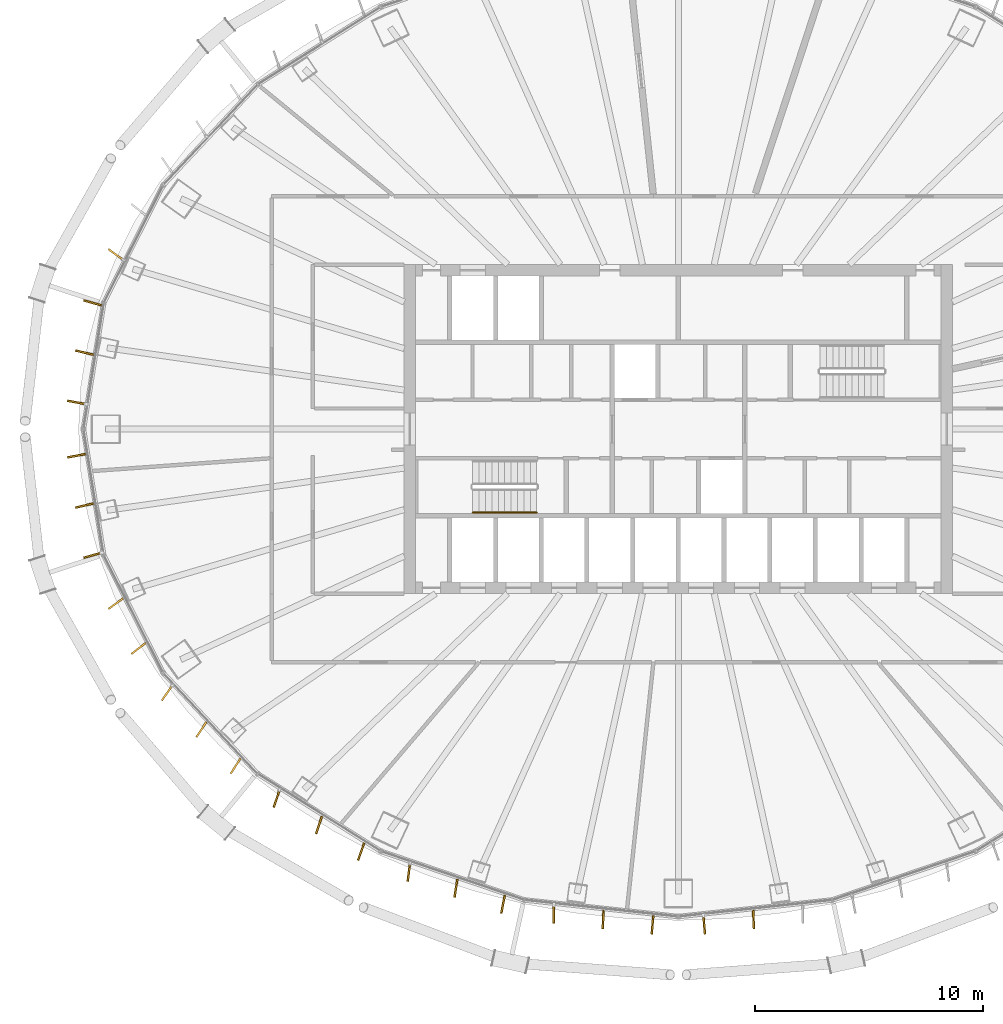
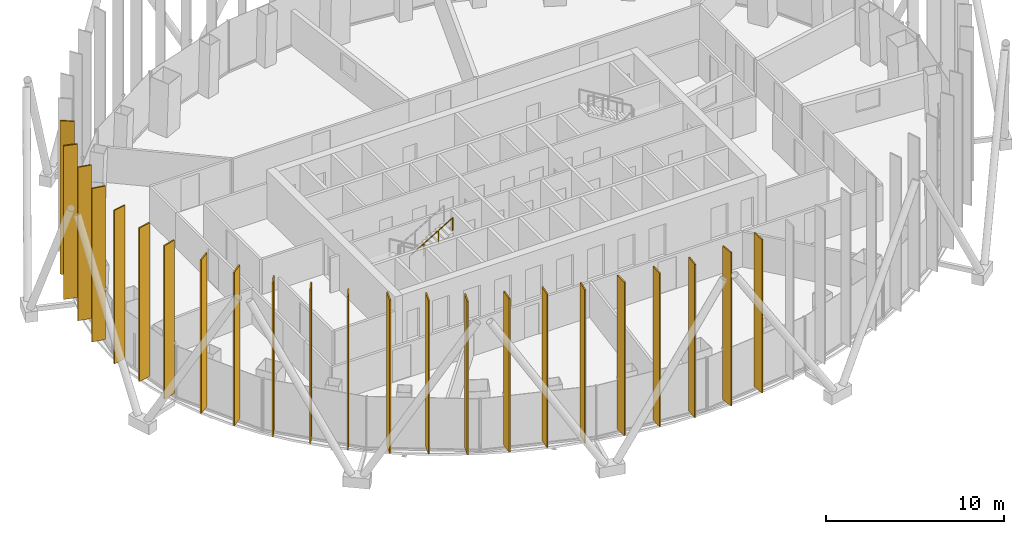
# One storey, part 16 of 19: 23 shading devices, 1 railing.
"""IFC4 building model written with IfcOpenShell, lengths in metres."""

import ifcopenshell
import ifcopenshell.guid

model = None  # the IFC model being written
_history = None  # IfcOwnerHistory: only IFC2X3 demands one
_inside = {}  # id of a spatial element -> (the spatial element, [elements in it])
_under = {}  # id of a project, library or spatial element -> (it, [spatial elements below it])
_declared = {}  # id of a project -> (the project, [libraries it declares])
_typed = {}  # id of a type object -> (the type object, [elements of that type])
_made_of = {}  # id of a material, layer set ... -> (it, [elements and type objects made of it])


def new_model(schema):
    """Start an empty IFC model of exactly this schema.

    Asked for "IFC4X3", IfcOpenShell would pick the latest addendum, in which some entities
    have other attributes; the version numbers below select the first issue.
    IFC2X3 requires an IfcOwnerHistory on every rooted entity: one is made here for all.
    """
    global model, _history
    if schema == "IFC4X3":
        model = ifcopenshell.file(schema_version=(4, 3, 0, 0))
    else:
        model = ifcopenshell.file(schema=schema)
    _inside.clear()
    _under.clear()
    _declared.clear()
    _typed.clear()
    _made_of.clear()
    _history = None
    if model.schema == "IFC2X3":
        org = make("IfcOrganization", Name="unknown")
        user = make(
            "IfcPersonAndOrganization",
            ThePerson=make("IfcPerson", FamilyName="unknown"),
            TheOrganization=org,
        )
        app = make(
            "IfcApplication",
            ApplicationDeveloper=org,
            Version="unknown",
            ApplicationFullName="unknown",
            ApplicationIdentifier="unknown",
        )
        _history = make(
            "IfcOwnerHistory",
            OwningUser=user,
            OwningApplication=app,
            ChangeAction="ADDED",
            CreationDate=0,
        )
    return model


def make(cls, **values):
    """One entity of the class cls with the attributes given. An attribute that is None is left unset."""
    return model.create_entity(
        cls, **{name: value for name, value in values.items() if value is not None}
    )


def rooted(cls, **values):
    """An entity with a GlobalId (a new one), such as an element, a storey or a relation."""
    return make(cls, GlobalId=ifcopenshell.guid.new(), OwnerHistory=_history, **values)


def si_unit(unit_type, name, prefix=None):
    """IfcSIUnit, for example si_unit("LENGTHUNIT", "METRE", prefix="MILLI")."""
    return make("IfcSIUnit", UnitType=unit_type, Prefix=prefix, Name=name)


def assignment(units):
    """IfcUnitAssignment: the units of a project."""
    return None if units is None else make("IfcUnitAssignment", Units=units)


def point(xyz):
    """IfcCartesianPoint."""
    return None if xyz is None else make("IfcCartesianPoint", Coordinates=xyz)


def direction(xyz):
    """IfcDirection."""
    return None if xyz is None else make("IfcDirection", DirectionRatios=xyz)


def frame(location, z_axis=None, x_axis=None):
    """IfcAxis2Placement3D, a coordinate frame: its origin and axes. An axis left out is left unset."""
    return make(
        "IfcAxis2Placement3D",
        Location=point(location),
        Axis=direction(z_axis),
        RefDirection=direction(x_axis),
    )


def frame_2d(location, x_axis=None):
    """IfcAxis2Placement2D, a coordinate frame in the plane: its origin and x axis."""
    return make(
        "IfcAxis2Placement2D", Location=point(location), RefDirection=direction(x_axis)
    )


def origin():
    """The frame at (0, 0, 0) with its axes left unset."""
    return frame((0.0, 0.0, 0.0))


def origin_2d():
    """The frame at (0, 0) in the plane with its x axis left unset."""
    return frame_2d((0.0, 0.0))


def place(relative_to, where):
    """IfcLocalPlacement: puts the frame where relative to a parent placement (None: the world)."""
    return make(
        "IfcLocalPlacement", PlacementRelTo=relative_to, RelativePlacement=where
    )


def context(
    kind, dimensions, precision=None, world=None, true_north=None, identifier=None
):
    """IfcGeometricRepresentationContext, for example the 3D "Model" context."""
    return make(
        "IfcGeometricRepresentationContext",
        ContextIdentifier=identifier,
        ContextType=kind,
        CoordinateSpaceDimension=dimensions,
        Precision=precision,
        WorldCoordinateSystem=world,
        TrueNorth=true_north,
    )


def subcontext(parent, identifier, kind, view, scale=None):
    """IfcGeometricRepresentationSubContext, for example "Body" below "Model"."""
    return make(
        "IfcGeometricRepresentationSubContext",
        ContextIdentifier=identifier,
        ContextType=kind,
        ParentContext=parent,
        TargetScale=scale,
        TargetView=view,
    )


def project(units=None, contexts=None):
    """IfcProject with its units and contexts."""
    return rooted(
        "IfcProject",
        Name="project",
        RepresentationContexts=contexts,
        UnitsInContext=assignment(units),
    )


def spatial(cls, under=None, at=None, **own):
    """A site, building, storey or space (cls), placed at a placement, below another one or the project."""
    s = rooted(cls, ObjectPlacement=at, **own)
    if under is not None:
        _under.setdefault(under.id(), (under, []))[1].append(s)
    return s


def profile(cls, at=None, kind="AREA", **sizes):
    """A parametric profile (cls). Its sizes go by their IFC names, for example OverallWidth=200.0."""
    return make(cls, ProfileType=kind, Position=at, **sizes)


def rectangle(**sizes):
    """IfcRectangleProfileDef."""
    return profile("IfcRectangleProfileDef", **sizes)


def circle(**sizes):
    """IfcCircleProfileDef."""
    return profile("IfcCircleProfileDef", **sizes)


def extrude(swept, where, along, depth):
    """IfcExtrudedAreaSolid: the profile swept, set in the frame where, extruded along a direction by depth."""
    return make(
        "IfcExtrudedAreaSolid",
        SweptArea=swept,
        Position=where,
        ExtrudedDirection=direction(along),
        Depth=depth,
    )


def shape(context_of_items, identifier, shape_type, items):
    """IfcShapeRepresentation: the items that make up one representation, for example the "Body"."""
    return make(
        "IfcShapeRepresentation",
        ContextOfItems=context_of_items,
        RepresentationIdentifier=identifier,
        RepresentationType=shape_type,
        Items=items,
    )


def material(Name=None, Category=None):
    """IfcMaterial."""
    return make("IfcMaterial", Name=Name, Category=Category)


def layer(
    of_material, thickness, ventilated=None, Name=None, Category=None, Priority=None
):
    """IfcMaterialLayer: one layer of a wall or slab, of a material (None: an air gap)."""
    return make(
        "IfcMaterialLayer",
        Material=of_material,
        LayerThickness=thickness,
        IsVentilated=ventilated,
        Name=Name,
        Category=Category,
        Priority=Priority,
    )


def layer_set(layers, Name=None):
    """IfcMaterialLayerSet."""
    return make("IfcMaterialLayerSet", MaterialLayers=layers, LayerSetName=Name)


def made_of(thing, what):
    """Note that an element or type object is made of a material, layer set ...; save() writes the relation."""
    if what is not None:
        _made_of.setdefault(what.id(), (what, []))[1].append(thing)
    return thing


def type_object(cls, material=None, **own):
    """A type object (cls), such as IfcWallType, which elements share."""
    return made_of(rooted(cls, **own), material)


def element(
    cls,
    number,
    at=None,
    inside=None,
    cuts=None,
    type_object=None,
    material=None,
    context=None,
    identifier="Body",
    shape_type=None,
    held_by="IfcProductDefinitionShape",
    body=None,
    shapes=None,
    **own,
):
    """One element of the class cls, such as IfcWall. Its Tag is "e" and its number.

    at: its placement. inside: the storey or other place that contains it. cuts: it is an
    opening in that element (IfcRelVoidsElement). A single representation is given by context,
    identifier, shape_type and body (its items); several are given by shapes. held_by: the class
    of the entity that holds the representations. save() writes the other relations.
    """
    e = rooted(cls, Tag="e%d" % number, ObjectPlacement=at, **own)
    if body is not None:
        shapes = [shape(context, identifier, shape_type, body)]
    if shapes is not None:
        e.Representation = make(held_by, Representations=shapes)
    if inside is not None:
        _inside.setdefault(inside.id(), (inside, []))[1].append(e)
    if cuts is not None:
        rooted(
            "IfcRelVoidsElement", RelatingBuildingElement=cuts, RelatedOpeningElement=e
        )
    if type_object is not None:
        _typed.setdefault(type_object.id(), (type_object, []))[1].append(e)
    return made_of(e, material)


def aggregate(whole, parts):
    """IfcRelAggregates: a whole, such as a stair, and the parts it consists of."""
    return rooted("IfcRelAggregates", RelatingObject=whole, RelatedObjects=parts)


def save(model, path):
    """Write the relations noted so far, then the file.

    IfcRelAggregates (storeys below a building ...), IfcRelContainedInSpatialStructure (elements
    in a storey), IfcRelDefinesByType, IfcRelAssociatesMaterial and IfcRelDeclares: one each for
    every whole, place, type object, material and project.
    """
    for whole, parts in _under.values():
        aggregate(whole, parts)
    for where, things in _inside.values():
        rooted(
            "IfcRelContainedInSpatialStructure",
            RelatedElements=things,
            RelatingStructure=where,
        )
    for kind, things in _typed.values():
        rooted("IfcRelDefinesByType", RelatedObjects=things, RelatingType=kind)
    for what, things in _made_of.values():
        rooted("IfcRelAssociatesMaterial", RelatedObjects=things, RelatingMaterial=what)
    for by, libraries in _declared.values():
        rooted("IfcRelDeclares", RelatingContext=by, RelatedDefinitions=libraries)
    model.write(path)


model = new_model("IFC4")

# Units and contexts
model_context = context("Model", 3, precision=1e-05, world=origin(), true_north=direction((0.0, 1.0)))
body_context = subcontext(model_context, "Body", "Model", "MODEL_VIEW")
ifc_project = project(units=[si_unit("LENGTHUNIT", "METRE"), si_unit("AREAUNIT", "SQUARE_METRE"), si_unit("VOLUMEUNIT", "CUBIC_METRE"), si_unit("PLANEANGLEUNIT", "RADIAN"), si_unit("MASSUNIT", "GRAM", prefix="KILO")], contexts=[model_context])

# Site, building, storey
site_placement = place(None, origin())
site = spatial("IfcSite", under=ifc_project, at=site_placement, CompositionType="ELEMENT")
building_placement = place(site_placement, origin())
building = spatial("IfcBuilding", under=site, at=building_placement, Name="Siaravel Broadcast Tower", CompositionType="ELEMENT")
storey_placement = place(building_placement, frame((0.0, 0.0, 97.10009765625)))
storey = spatial("IfcBuildingStorey", under=building, at=storey_placement, Name="L22", CompositionType="ELEMENT", Elevation=97.10009765625)

# Shading devices
ifc_material_1 = material(Name="Bronze anodised aluminium", Category="aluminium")
ifc_layer = layer(ifc_material_1, 0.080078125)
ifc_layer_set = layer_set([ifc_layer], Name="Bronze anodised aluminium")
shading_device_type = type_object("IfcShadingDeviceType", Name="Bronze fin zone 2", PredefinedType="USERDEFINED", material=ifc_layer_set)
for number, where, z_axis, x_axis, name in (
    (1, (-24.623291015625, 7.639892578125, 0.2998046875), (0.0, 0.0, 1.0), (-0.809425099, 0.587223134, 0.0), "Bronze fin L22-31"),
    (2, (-25.642822265625, 5.52490234375, 0.2998046875), (0.0, 0.0, 1.0), (-0.961291036, 0.275535013, 0.0), "Bronze fin L22-32"),
    (3, (-25.99462890625, 3.346923828125, 0.2998046875), (0.0, 0.0, 1.0), (-0.972899509, 0.231228339, 0.0), "Bronze fin L22-33"),
    (4, (-26.345947265625, 1.16748046875, 0.2998046875), (0.0, 0.0, 1.0), (-0.983081439, 0.183169004, 0.0), "Bronze fin L22-34"),
    (5, (-26.345947265625, -1.16748046875, 0.2998046875), (0.0, 0.0, 1.0), (-0.983081439, -0.183169004, 0.0), "Bronze fin L22-35"),
    (6, (-25.99462890625, -3.346923828125, 0.2998046875), (0.0, 0.0, 1.0), (-0.972899509, -0.231228339, 0.0), "Bronze fin L22-36"),
    (7, (-25.642822265625, -5.52490234375, 0.2998046875), (0.0, 0.0, 1.0), (-0.961291036, -0.275535013, 0.0), "Bronze fin L22-37"),
    (8, (-24.623291015625, -7.639892578125, 0.2998046875), (0.0, 0.0, 1.0), (-0.809425099, -0.587223134, 0.0), "Bronze fin L22-38"),
    (9, (-23.6279296875, -9.60302734375, 0.2998046875), (0.0, 0.0, 1.0), (-0.789268456, -0.614048292, 0.0), "Bronze fin L22-39"),
    (10, (-22.380859375, -11.5517578125, 0.2998046875), (0.0, 0.0, 1.0), (-0.56437642, -0.825517569, 0.0), "Bronze fin L22-40"),
    (11, (-20.87939453125, -13.15234375, 0.2998046875), (0.0, 0.0, 1.0), (-0.550466169, -0.834857471, 0.0), "Bronze fin L22-41"),
    (12, (-19.380859375, -14.7509765625, 0.2998046875), (0.0, 0.0, 1.0), (-0.543492406, -0.839414084, 0.0), "Bronze fin L22-42"),
    (13, (-17.5830078125, -16.17333984375, 0.2998046875), (0.0, 0.0, 1.0), (-0.312613451, -0.949880429, 0.0), "Bronze fin L22-43"),
    (14, (-15.73388671875, -17.336669921875, 0.2998046875), (0.0, 0.0, 1.0), (-0.320393107, -0.947284676, 0.0), "Bronze fin L22-44"),
    (15, (-13.88720703125, -18.4990234375, 0.2998046875), (0.0, 0.0, 1.0), (-0.335326608, -0.94210194, 0.0), "Bronze fin L22-45"),
    (16, (-11.796142578125, -19.402587890625, 0.2998046875), (0.0, 0.0, 1.0), (-0.129596911, -0.991566761, 0.0), "Bronze fin L22-46"),
    (17, (-9.7353515625, -20.10400390625, 0.2998046875), (0.0, 0.0, 1.0), (-0.157167055, -0.987572031, 0.0), "Bronze fin L22-47"),
    (18, (-7.67626953125, -20.8046875, 0.2998046875), (0.0, 0.0, 1.0), (-0.189542736, -0.981872472, 0.0), "Bronze fin L22-48"),
    (19, (-5.45068359375, -21.2392578125, 0.2998046875), (0.0, 0.0, 1.0), (-0.007140081, -0.999974509, 0.0), "Bronze fin L22-49"),
    (20, (-3.291015625, -21.473388671875, 0.2998046875), (0.0, 0.0, 1.0), (-0.046161511, -0.998933989, 0.0), "Bronze fin L22-50"),
    (21, (-1.1318359375, -21.70703125, 0.2998046875), (0.0, 0.0, 1.0), (-0.086834081, -0.996222788, 0.0), "Bronze fin L22-51"),
    (22, (1.1318359375, -21.70703125, 0.2998046875), (0.0, 0.0, 1.0), (0.086834081, -0.996222788, 0.0), "Bronze fin L22-52"),
    (23, (3.291015625, -21.473388671875, 0.2998046875), (0.0, 0.0, 1.0), (0.046161511, -0.998933989, 0.0), "Bronze fin L22-53"),
):
    element("IfcShadingDevice", number, at=place(storey_placement, frame(where, z_axis=z_axis, x_axis=x_axis)), inside=storey, type_object=shading_device_type, Name=name, ObjectType="FIN", PredefinedType="USERDEFINED", context=body_context, shape_type="SweptSolid", body=[
        extrude(rectangle(XDim=0.800048828125, YDim=0.080078125, at=origin_2d()), origin(), (0.0, 0.0, 1.0), 10.5),
    ])

# Railing
ifc_material_2 = material(Name="Stainless steel 316L", Category="steel")
railing_type = type_object("IfcRailingType", Name="Stair handrail 900", PredefinedType="HANDRAIL", material=ifc_material_2)
railing_placement = place(storey_placement, frame((-9.0, -3.64990234375, 2.01806640625)))
element("IfcRailing", 24, at=railing_placement, inside=storey, type_object=railing_type, Name="L22 ST-1 stair handrail 2", PredefinedType="HANDRAIL", context=body_context, shape_type="SweptSolid", body=[
    extrude(circle(Radius=0.02392578125, at=origin_2d()), frame((0.0, 0.0, 0.8759765625), z_axis=(0.857242211, 0.0, 0.514913383), x_axis=(0.0, 1.0, 0.0)), (0.0, 0.0, 1.0), 3.266357421875),
    extrude(circle(Radius=0.02099609375, at=origin_2d()), origin(), (0.0, 0.0, 1.0), 0.851806640625),
    extrude(circle(Radius=0.02099609375, at=origin_2d()), frame((0.933349609375, 0.0, 0.560546875)), (0.0, 0.0, 1.0), 0.851806640625),
    extrude(circle(Radius=0.02099609375, at=origin_2d()), frame((1.86669921875, 0.0, 1.121337890625)), (0.0, 0.0, 1.0), 0.851806640625),
    extrude(circle(Radius=0.02099609375, at=origin_2d()), frame((2.800048828125, 0.0, 1.681884765625)), (0.0, 0.0, 1.0), 0.851806640625),
])

save(model, "model.ifc")
